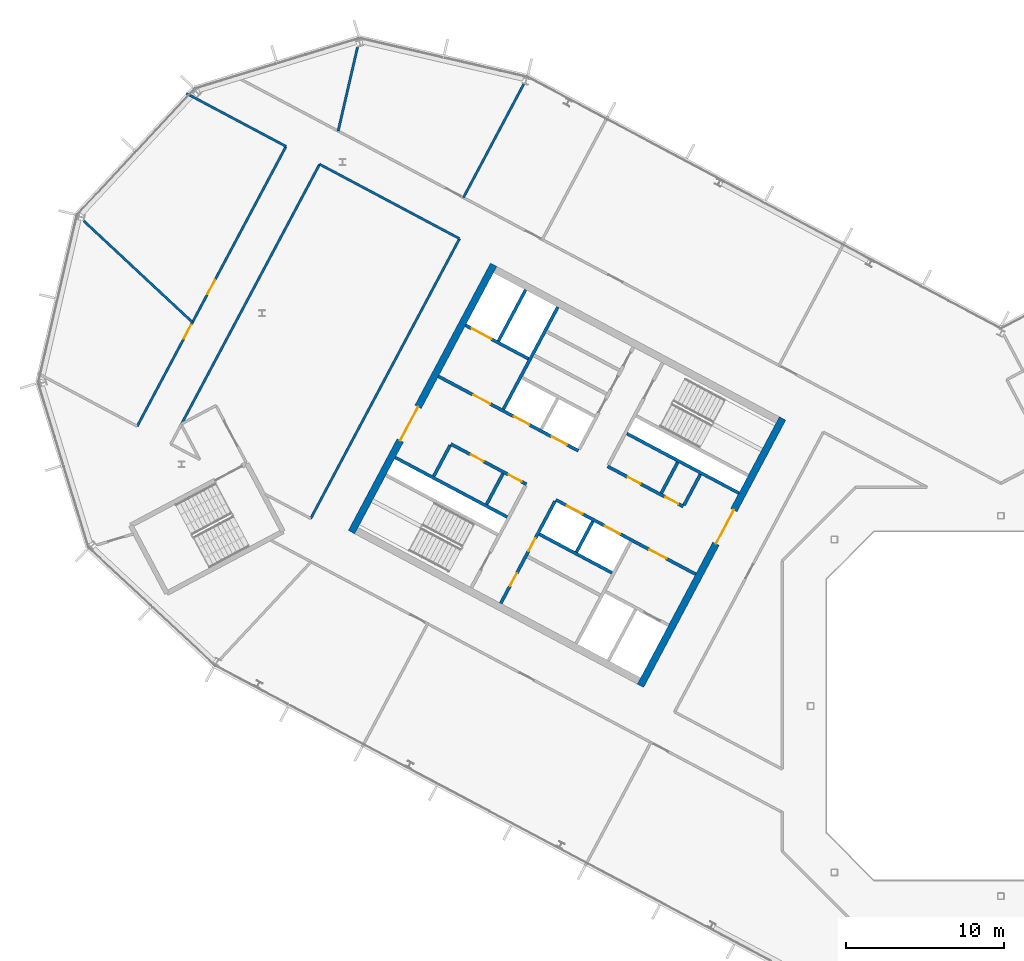
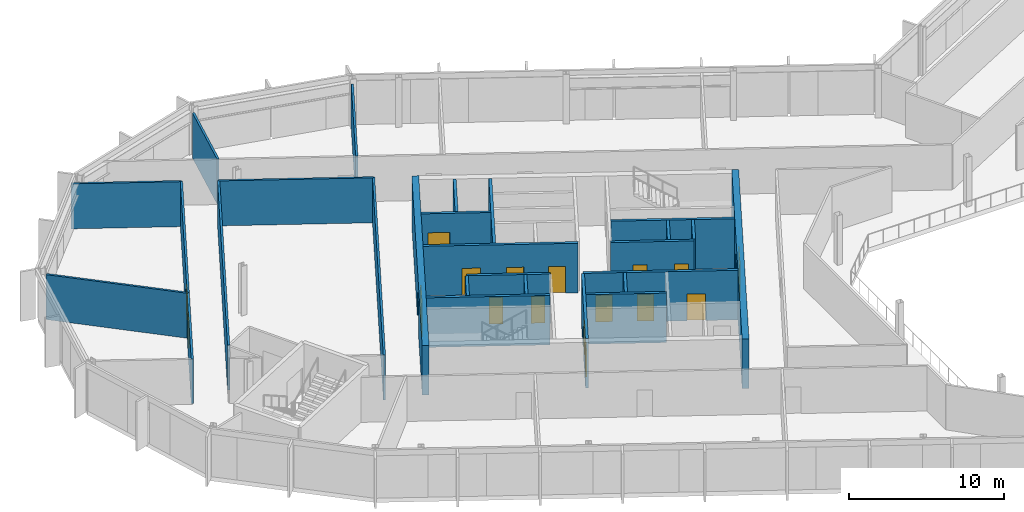
# One storey, part 14 of 26: 26 walls, 17 doors, 17 openings.
"""IFC4 building model written with IfcOpenShell, lengths in metres."""

from ifc_helpers import new_model, si_unit, direction, frame, frame_2d, origin, place, context, subcontext, project, spatial, rectangle, extrude, material, layer, layer_set, type_object, element, fill, save


model = new_model("IFC4")

# Units and contexts
model_context = context("Model", 3, precision=1e-05, world=origin(), true_north=direction((0.0, 1.0)))
body_context = subcontext(model_context, "Body", "Model", "MODEL_VIEW")
ifc_project = project(units=[si_unit("LENGTHUNIT", "METRE"), si_unit("AREAUNIT", "SQUARE_METRE"), si_unit("VOLUMEUNIT", "CUBIC_METRE"), si_unit("PLANEANGLEUNIT", "RADIAN"), si_unit("MASSUNIT", "GRAM", prefix="KILO")], contexts=[model_context])

# Site, building, storey
site_placement = place(None, origin())
site = spatial("IfcSite", under=ifc_project, at=site_placement, CompositionType="ELEMENT")
building_placement = place(site_placement, origin())
building = spatial("IfcBuilding", under=site, at=building_placement, Name="Cormorant Relay Tower", CompositionType="ELEMENT")
storey_placement = place(building_placement, frame((0.0, 0.0, 304.800048828125)))
storey = spatial("IfcBuildingStorey", under=building, at=storey_placement, Name="L69", CompositionType="ELEMENT", Elevation=304.800048828125)

# Walls
ifc_material_1 = material(Name="Concrete 40 MPa", Category="concrete")
ifc_layer_1 = layer(ifc_material_1, 0.199951171875)
ifc_layer_set_1 = layer_set([ifc_layer_1], Name="Core internal wall 200")
wall_type_1 = type_object("IfcWallType", Name="Core internal wall 200", PredefinedType="SOLIDWALL", material=ifc_layer_set_1)
wall_1_placement = place(storey_placement, frame((-20.39013671875, 15.371826171875, 0.0), z_axis=(0.0, 0.0, 1.0), x_axis=(-0.4694473164, -0.882960484464, 0.0)))
element("IfcWall", 1, at=wall_1_placement, inside=storey, type_object=wall_type_1, Name="L69 core A shaft and room wall", PredefinedType="SOLIDWALL", context=body_context, shape_type="SweptSolid", body=[
    extrude(rectangle(XDim=2.199951171875, YDim=0.199951171875, at=frame_2d((1.10009765625, 0.0))), origin(), (0.0, 0.0, 1.0), 3.89990234375),
])
wall_2_placement = place(storey_placement, frame((-25.744140625, 11.64990234375, 0.0), z_axis=(0.0, 0.0, 1.0), x_axis=(-0.469487830541, -0.882938942948, 0.0)))
element("IfcWall", 2, at=wall_2_placement, inside=storey, type_object=wall_type_1, Name="L69 core A shaft and room wall", PredefinedType="SOLIDWALL", context=body_context, shape_type="SweptSolid", body=[
    extrude(rectangle(XDim=2.2001953125, YDim=0.199951171875, at=frame_2d((1.10009765625, 0.0))), origin(), (0.0, 0.0, 1.0), 3.89990234375),
])
wall_3_placement = place(storey_placement, frame((-31.41259765625, 14.663818359375, 0.0), z_axis=(0.0, 0.0, 1.0), x_axis=(-0.469533832133, -0.882914480843, 0.0)))
element("IfcWall", 3, at=wall_3_placement, inside=storey, type_object=wall_type_1, Name="L69 core A shaft and room wall", PredefinedType="SOLIDWALL", context=body_context, shape_type="SweptSolid", body=[
    extrude(rectangle(XDim=2.199951171875, YDim=0.199951171875, at=frame_2d((1.10009765625, 0.0))), origin(), (0.0, 0.0, 1.0), 3.89990234375),
])
ifc_material_2 = material(Name="Concrete 50 MPa", Category="concrete")
ifc_layer_2 = layer(ifc_material_2, 0.199951171875)
ifc_layer_set_2 = layer_set([ifc_layer_2], Name="Core shaft wall 200")
wall_type_2 = type_object("IfcWallType", Name="Core shaft wall 200", PredefinedType="SHEAR", material=ifc_layer_set_2)
wall_4_placement = place(storey_placement, frame((-18.959716796875, 14.611328125, 0.0), z_axis=(0.0, 0.0, 1.0), x_axis=(-0.4694473164, -0.882960484464, 0.0)))
element("IfcWall", 4, at=wall_4_placement, inside=storey, type_object=wall_type_2, Name="L69 core A shaft wall", PredefinedType="SHEAR", context=body_context, shape_type="SweptSolid", body=[
    extrude(rectangle(XDim=2.199951171875, YDim=0.199951171875, at=frame_2d((1.10009765625, 0.0))), origin(), (0.0, 0.0, 1.0), 3.89990234375),
])

# Wall, openings, doors
wall_5_placement = place(storey_placement, frame((-28.128173828125, 12.91748046875, 0.0), z_axis=(0.0, 0.0, 1.0), x_axis=(-0.469454336211, -0.882956752176, 0.0)))
wall_5 = element("IfcWall", 5, at=wall_5_placement, inside=storey, type_object=wall_type_2, Name="L69 core A shaft wall", PredefinedType="SHEAR", context=body_context, shape_type="SweptSolid", body=[
    extrude(rectangle(XDim=7.300048828125, YDim=0.199951171875, at=frame_2d((3.64990234375, 0.0))), origin(), (0.0, 0.0, 1.0), 3.89990234375),
])
opening_1_placement = place(wall_5_placement, frame((2.64990234375, 0.0, 0.0)))
opening_1 = element("IfcOpeningElement", 6, at=opening_1_placement, cuts=wall_5, Name="Opening CDD-268", PredefinedType="OPENING", context=body_context, shape_type="SweptSolid", body=[
    extrude(rectangle(XDim=0.89990234375, YDim=2.10009765625, at=frame_2d((0.449951171875, 1.050048828125))), frame((0.0, 0.10986328125, 0.0), z_axis=(0.0, -1.0, 0.0), x_axis=(1.0, 0.0, 0.0)), (0.0, 0.0, 1.0), 0.219970703125),
])
opening_2_placement = place(wall_5_placement, frame((5.14990234375, 0.0, 0.0)))
opening_2 = element("IfcOpeningElement", 7, at=opening_2_placement, cuts=wall_5, Name="Opening CDD-339", PredefinedType="OPENING", context=body_context, shape_type="SweptSolid", body=[
    extrude(rectangle(XDim=0.89990234375, YDim=2.10009765625, at=frame_2d((0.449951171875, 1.050048828125))), frame((0.0, 0.10986328125, 0.0), z_axis=(0.0, -1.0, 0.0), x_axis=(1.0, 0.0, 0.0)), (0.0, 0.0, 1.0), 0.219970703125),
])
ifc_material_3 = material(Name="Steel fire door", Category="steel")
door_type_1 = type_object("IfcDoorType", Name="Core room door 900x2100", OperationType="SINGLE_SWING_LEFT", PredefinedType="DOOR", material=ifc_material_3)
door_1_placement = place(opening_1_placement, origin())
door_1 = element("IfcDoor", 8, at=door_1_placement, inside=storey, type_object=door_type_1, Name="Core room door 900x2100", OperationType="SINGLE_SWING_LEFT", OverallHeight=2.10009765625, OverallWidth=0.89990234375, PredefinedType="DOOR", context=body_context, shape_type="SweptSolid", body=[
    extrude(rectangle(XDim=0.89990234375, YDim=2.10009765625, at=frame_2d((0.449951171875, 1.050048828125))), frame((0.0, 0.02490234375, 0.0), z_axis=(0.0, -1.0, 0.0), x_axis=(1.0, 0.0, 0.0)), (0.0, 0.0, 1.0), 0.050048828125),
])
fill(opening_1, door_1)
door_2_placement = place(opening_2_placement, origin())
door_2 = element("IfcDoor", 9, at=door_2_placement, inside=storey, type_object=door_type_1, Name="Core room door 900x2100", OperationType="SINGLE_SWING_LEFT", OverallHeight=2.10009765625, OverallWidth=0.89990234375, PredefinedType="DOOR", context=body_context, shape_type="SweptSolid", body=[
    extrude(rectangle(XDim=0.89990234375, YDim=2.10009765625, at=frame_2d((0.449951171875, 1.050048828125))), frame((0.0, 0.02490234375, 0.0), z_axis=(0.0, -1.0, 0.0), x_axis=(1.0, 0.0, 0.0)), (0.0, 0.0, 1.0), 0.050048828125),
])
fill(opening_2, door_2)

# Walls
wall_6_placement = place(storey_placement, frame((-27.955322265625, 25.170654296875, 0.0), z_axis=(0.0, 0.0, 1.0), x_axis=(-0.469480409012, -0.88294288918, 0.0)))
element("IfcWall", 10, at=wall_6_placement, inside=storey, type_object=wall_type_2, Name="L69 core A shaft wall", PredefinedType="SHEAR", context=body_context, shape_type="SweptSolid", body=[
    extrude(rectangle(XDim=7.300048828125, YDim=0.199951171875, at=frame_2d((3.64990234375, 0.0))), origin(), (0.0, 0.0, 1.0), 3.89990234375),
])
wall_7_placement = place(storey_placement, frame((-34.750244140625, 16.4384765625, 0.0), z_axis=(0.0, 0.0, 1.0), x_axis=(-0.469401318492, -0.882984938828, 0.0)))
element("IfcWall", 11, at=wall_7_placement, inside=storey, type_object=wall_type_2, Name="L69 core A shaft wall", PredefinedType="SHEAR", context=body_context, shape_type="SweptSolid", body=[
    extrude(rectangle(XDim=2.199951171875, YDim=0.199951171875, at=frame_2d((1.10009765625, 0.0))), origin(), (0.0, 0.0, 1.0), 3.89990234375),
])
wall_8_placement = place(storey_placement, frame((-29.986083984375, 26.250244140625, 0.0), z_axis=(0.0, 0.0, 1.0), x_axis=(-0.469494272526, -0.882935517501, 0.0)))
element("IfcWall", 12, at=wall_8_placement, inside=storey, type_object=wall_type_2, Name="L69 core A shaft wall", PredefinedType="SHEAR", context=body_context, shape_type="SweptSolid", body=[
    extrude(rectangle(XDim=3.64990234375, YDim=0.199951171875, at=frame_2d((1.824951171875, 0.0))), origin(), (0.0, 0.0, 1.0), 3.89990234375),
])

# Wall, opening, door
wall_9_placement = place(storey_placement, frame((-29.80419921875, 21.906494140625, 0.0), z_axis=(0.0, 0.0, 1.0), x_axis=(-0.882960433586, 0.469447412093, 0.0)))
wall_9 = element("IfcWall", 13, at=wall_9_placement, inside=storey, type_object=wall_type_2, Name="L69 core A shaft wall", PredefinedType="SHEAR", context=body_context, shape_type="SweptSolid", body=[
    extrude(rectangle(XDim=4.5, YDim=0.199951171875, at=frame_2d((2.25, 0.0))), origin(), (0.0, 0.0, 1.0), 3.89990234375),
])
opening_3_placement = place(wall_9_placement, frame((2.64990234375, 0.0, 0.0)))
opening_3 = element("IfcOpeningElement", 14, at=opening_3_placement, cuts=wall_9, Name="Opening LD3-015", PredefinedType="OPENING", context=body_context, shape_type="SweptSolid", body=[
    extrude(rectangle(XDim=1.39990234375, YDim=2.39990234375, at=frame_2d((0.699951171875, 1.199951171875))), frame((0.0, 0.10986328125, 0.0), z_axis=(0.0, -1.0, 0.0), x_axis=(1.0, 0.0, 0.0)), (0.0, 0.0, 1.0), 0.219970703125),
])
ifc_material_4 = material(Name="Stainless steel 316", Category="steel")
door_type_2 = type_object("IfcDoorType", Name="Lift landing door 1400x2400", OperationType="DOUBLE_DOOR_SLIDING", PredefinedType="DOOR", material=ifc_material_4)
door_3_placement = place(opening_3_placement, origin())
door_3 = element("IfcDoor", 15, at=door_3_placement, inside=storey, type_object=door_type_2, Name="SV1 landing door", OperationType="DOUBLE_DOOR_SLIDING", OverallHeight=2.39990234375, OverallWidth=1.39990234375, PredefinedType="DOOR", context=body_context, shape_type="SweptSolid", body=[
    extrude(rectangle(XDim=1.39990234375, YDim=2.39990234375, at=frame_2d((0.699951171875, 1.199951171875))), frame((0.0, 0.02490234375, 0.0), z_axis=(0.0, -1.0, 0.0), x_axis=(1.0, 0.0, 0.0)), (0.0, 0.0, 1.0), 0.050048828125),
])
fill(opening_3, door_3)

# Wall
wall_10_placement = place(storey_placement, frame((-16.52880859375, 13.43212890625, 0.0), z_axis=(0.0, 0.0, 1.0), x_axis=(-0.88295287151, 0.469461634952, 0.0)))
element("IfcWall", 16, at=wall_10_placement, inside=storey, type_object=wall_type_2, Name="L69 core A shaft wall", PredefinedType="SHEAR", context=body_context, shape_type="SweptSolid", body=[
    extrude(rectangle(XDim=7.999755859375, YDim=0.199951171875, at=frame_2d((4.0, 0.0))), origin(), (0.0, 0.0, 1.0), 3.89990234375),
])

# Wall, openings, doors
wall_11_placement = place(storey_placement, frame((-20.03955078125, 12.58056640625, 0.0), z_axis=(0.0, 0.0, 1.0), x_axis=(-0.882942972946, 0.469480251476, 0.0)))
wall_11 = element("IfcWall", 17, at=wall_11_placement, inside=storey, type_object=wall_type_2, Name="L69 core A shaft wall", PredefinedType="SHEAR", context=body_context, shape_type="SweptSolid", body=[
    extrude(rectangle(XDim=5.39990234375, YDim=0.199951171875, at=frame_2d((2.699951171875, 0.0))), origin(), (0.0, 0.0, 1.0), 3.89990234375),
])
opening_4_placement = place(wall_11_placement, frame((0.360107421875, 0.0, 0.0)))
opening_4 = element("IfcOpeningElement", 18, at=opening_4_placement, cuts=wall_11, Name="Opening CDD-337", PredefinedType="OPENING", context=body_context, shape_type="SweptSolid", body=[
    extrude(rectangle(XDim=0.89990234375, YDim=2.10009765625, at=frame_2d((0.449951171875, 1.050048828125))), frame((0.0, 0.10986328125, 0.0), z_axis=(0.0, -1.0, 0.0), x_axis=(1.0, 0.0, 0.0)), (0.0, 0.0, 1.0), 0.219970703125),
])
opening_5_placement = place(wall_11_placement, frame((3.06005859375, 0.0, 0.0)))
opening_5 = element("IfcOpeningElement", 19, at=opening_5_placement, cuts=wall_11, Name="Opening CDD-338", PredefinedType="OPENING", context=body_context, shape_type="SweptSolid", body=[
    extrude(rectangle(XDim=0.89990234375, YDim=2.10009765625, at=frame_2d((0.449951171875, 1.050048828125))), frame((0.0, 0.10986328125, 0.0), z_axis=(0.0, -1.0, 0.0), x_axis=(1.0, 0.0, 0.0)), (0.0, 0.0, 1.0), 0.219970703125),
])
door_4_placement = place(opening_4_placement, frame((0.89990234375, 0.0, 0.0), z_axis=(0.0, 0.0, 1.0), x_axis=(-1.0, 0.0, 0.0)))
door_4 = element("IfcDoor", 20, at=door_4_placement, inside=storey, type_object=door_type_1, Name="Core room door 900x2100", OperationType="SINGLE_SWING_RIGHT", OverallHeight=2.10009765625, OverallWidth=0.89990234375, PredefinedType="DOOR", context=body_context, shape_type="SweptSolid", body=[
    extrude(rectangle(XDim=0.89990234375, YDim=2.10009765625, at=frame_2d((0.449951171875, 1.050048828125))), frame((0.0, 0.02490234375, 0.0), z_axis=(0.0, -1.0, 0.0), x_axis=(1.0, 0.0, 0.0)), (0.0, 0.0, 1.0), 0.050048828125),
])
fill(opening_4, door_4)
door_5_placement = place(opening_5_placement, frame((0.89990234375, 0.0, 0.0), z_axis=(0.0, 0.0, 1.0), x_axis=(-1.0, 0.0, 0.0)))
door_5 = element("IfcDoor", 21, at=door_5_placement, inside=storey, type_object=door_type_1, Name="Core room door 900x2100", OperationType="SINGLE_SWING_RIGHT", OverallHeight=2.10009765625, OverallWidth=0.89990234375, PredefinedType="DOOR", context=body_context, shape_type="SweptSolid", body=[
    extrude(rectangle(XDim=0.89990234375, YDim=2.10009765625, at=frame_2d((0.449951171875, 1.050048828125))), frame((0.0, 0.02490234375, 0.0), z_axis=(0.0, -1.0, 0.0), x_axis=(1.0, 0.0, 0.0)), (0.0, 0.0, 1.0), 0.050048828125),
])
fill(opening_5, door_5)

wall_12_placement = place(storey_placement, frame((-26.66162109375, 16.1015625, 0.0), z_axis=(0.0, 0.0, 1.0), x_axis=(-0.882940221191, 0.469485426614, 0.0)))
wall_12 = element("IfcWall", 22, at=wall_12_placement, inside=storey, type_object=wall_type_2, Name="L69 core A shaft wall", PredefinedType="SHEAR", context=body_context, shape_type="SweptSolid", body=[
    extrude(rectangle(XDim=10.0, YDim=0.199951171875, at=frame_2d((5.0, 0.0))), origin(), (0.0, 0.0, 1.0), 3.89990234375),
])
opening_6_placement = place(wall_12_placement, frame((6.300048828125, 0.0, 0.0)))
opening_6 = element("IfcOpeningElement", 23, at=opening_6_placement, cuts=wall_12, Name="Opening CDC-039", PredefinedType="OPENING", context=body_context, shape_type="SweptSolid", body=[
    extrude(rectangle(XDim=1.199951171875, YDim=2.10009765625, at=frame_2d((0.60009765625, 1.050048828125))), frame((0.0, 0.10986328125, 0.0), z_axis=(0.0, -1.0, 0.0), x_axis=(1.0, 0.0, 0.0)), (0.0, 0.0, 1.0), 0.219970703125),
])
opening_7_placement = place(wall_12_placement, frame((0.800048828125, 0.0, 0.0)))
opening_7 = element("IfcOpeningElement", 24, at=opening_7_placement, cuts=wall_12, Name="Opening LD1-067", PredefinedType="OPENING", context=body_context, shape_type="SweptSolid", body=[
    extrude(rectangle(XDim=1.10009765625, YDim=2.10009765625, at=frame_2d((0.550048828125, 1.050048828125))), frame((0.0, 0.10986328125, 0.0), z_axis=(0.0, -1.0, 0.0), x_axis=(1.0, 0.0, 0.0)), (0.0, 0.0, 1.0), 0.219970703125),
])
opening_8_placement = place(wall_12_placement, frame((3.5, 0.0, 0.0)))
opening_8 = element("IfcOpeningElement", 25, at=opening_8_placement, cuts=wall_12, Name="Opening LD1-068", PredefinedType="OPENING", context=body_context, shape_type="SweptSolid", body=[
    extrude(rectangle(XDim=1.10009765625, YDim=2.10009765625, at=frame_2d((0.550048828125, 1.050048828125))), frame((0.0, 0.10986328125, 0.0), z_axis=(0.0, -1.0, 0.0), x_axis=(1.0, 0.0, 0.0)), (0.0, 0.0, 1.0), 0.219970703125),
])
ifc_material_5 = material(Name="Steel fire door", Category="steel")
door_type_3 = type_object("IfcDoorType", Name="Core lobby door 1200x2100", OperationType="SINGLE_SWING_LEFT", PredefinedType="DOOR", material=ifc_material_5)
door_6_placement = place(opening_6_placement, frame((1.199951171875, 0.0, 0.0), z_axis=(0.0, 0.0, 1.0), x_axis=(-1.0, 0.0, 0.0)))
door_6 = element("IfcDoor", 26, at=door_6_placement, inside=storey, type_object=door_type_3, Name="Core lobby door 1200x2100", OperationType="SINGLE_SWING_RIGHT", OverallHeight=2.10009765625, OverallWidth=1.199951171875, PredefinedType="DOOR", context=body_context, shape_type="SweptSolid", body=[
    extrude(rectangle(XDim=1.199951171875, YDim=2.10009765625, at=frame_2d((0.60009765625, 1.050048828125))), frame((0.0, 0.02490234375, 0.0), z_axis=(0.0, -1.0, 0.0), x_axis=(1.0, 0.0, 0.0)), (0.0, 0.0, 1.0), 0.050048828125),
])
fill(opening_6, door_6)
ifc_material_6 = material(Name="Stainless steel 316", Category="steel")
door_type_4 = type_object("IfcDoorType", Name="Lift landing door 1100x2100", OperationType="DOUBLE_DOOR_SLIDING", PredefinedType="DOOR", material=ifc_material_6)
door_7_placement = place(opening_7_placement, origin())
door_7 = element("IfcDoor", 27, at=door_7_placement, inside=storey, type_object=door_type_4, Name="HR3 landing door", OperationType="DOUBLE_DOOR_SLIDING", OverallHeight=2.10009765625, OverallWidth=1.10009765625, PredefinedType="DOOR", context=body_context, shape_type="SweptSolid", body=[
    extrude(rectangle(XDim=1.10009765625, YDim=2.10009765625, at=frame_2d((0.550048828125, 1.050048828125))), frame((0.0, 0.02490234375, 0.0), z_axis=(0.0, -1.0, 0.0), x_axis=(1.0, 0.0, 0.0)), (0.0, 0.0, 1.0), 0.050048828125),
])
fill(opening_7, door_7)
door_8_placement = place(opening_8_placement, origin())
door_8 = element("IfcDoor", 28, at=door_8_placement, inside=storey, type_object=door_type_4, Name="HR4 landing door", OperationType="DOUBLE_DOOR_SLIDING", OverallHeight=2.10009765625, OverallWidth=1.10009765625, PredefinedType="DOOR", context=body_context, shape_type="SweptSolid", body=[
    extrude(rectangle(XDim=1.10009765625, YDim=2.10009765625, at=frame_2d((0.550048828125, 1.050048828125))), frame((0.0, 0.02490234375, 0.0), z_axis=(0.0, -1.0, 0.0), x_axis=(1.0, 0.0, 0.0)), (0.0, 0.0, 1.0), 0.050048828125),
])
fill(opening_8, door_8)

wall_13_placement = place(storey_placement, frame((-19.251708984375, 8.31103515625, 0.0), z_axis=(0.0, 0.0, 1.0), x_axis=(-0.882955722218, 0.469456273365, 0.0)))
wall_13 = element("IfcWall", 29, at=wall_13_placement, inside=storey, type_object=wall_type_2, Name="L69 core A shaft wall", PredefinedType="SHEAR", context=body_context, shape_type="SweptSolid", body=[
    extrude(rectangle(XDim=10.0, YDim=0.199951171875, at=frame_2d((5.0, 0.0))), origin(), (0.0, 0.0, 1.0), 3.89990234375),
])
opening_9_placement = place(wall_13_placement, frame((2.10009765625, 0.0, 0.0)))
opening_9 = element("IfcOpeningElement", 30, at=opening_9_placement, cuts=wall_13, Name="Opening CDC-033", PredefinedType="OPENING", context=body_context, shape_type="SweptSolid", body=[
    extrude(rectangle(XDim=1.199951171875, YDim=2.10009765625, at=frame_2d((0.60009765625, 1.050048828125))), frame((0.0, 0.10986328125, 0.0), z_axis=(0.0, -1.0, 0.0), x_axis=(1.0, 0.0, 0.0)), (0.0, 0.0, 1.0), 0.219970703125),
])
opening_10_placement = place(wall_13_placement, frame((5.39990234375, 0.0, 0.0)))
opening_10 = element("IfcOpeningElement", 31, at=opening_10_placement, cuts=wall_13, Name="Opening LD1-065", PredefinedType="OPENING", context=body_context, shape_type="SweptSolid", body=[
    extrude(rectangle(XDim=1.10009765625, YDim=2.10009765625, at=frame_2d((0.550048828125, 1.050048828125))), frame((0.0, 0.10986328125, 0.0), z_axis=(0.0, -1.0, 0.0), x_axis=(1.0, 0.0, 0.0)), (0.0, 0.0, 1.0), 0.219970703125),
])
opening_11_placement = place(wall_13_placement, frame((8.10009765625, 0.0, 0.0)))
opening_11 = element("IfcOpeningElement", 32, at=opening_11_placement, cuts=wall_13, Name="Opening LD1-066", PredefinedType="OPENING", context=body_context, shape_type="SweptSolid", body=[
    extrude(rectangle(XDim=1.10009765625, YDim=2.10009765625, at=frame_2d((0.550048828125, 1.050048828125))), frame((0.0, 0.10986328125, 0.0), z_axis=(0.0, -1.0, 0.0), x_axis=(1.0, 0.0, 0.0)), (0.0, 0.0, 1.0), 0.219970703125),
])
door_9_placement = place(opening_9_placement, origin())
door_9 = element("IfcDoor", 33, at=door_9_placement, inside=storey, type_object=door_type_3, Name="Core lobby door 1200x2100", OperationType="SINGLE_SWING_RIGHT", OverallHeight=2.10009765625, OverallWidth=1.199951171875, PredefinedType="DOOR", context=body_context, shape_type="SweptSolid", body=[
    extrude(rectangle(XDim=1.199951171875, YDim=2.10009765625, at=frame_2d((0.60009765625, 1.050048828125))), frame((0.0, 0.02490234375, 0.0), z_axis=(0.0, -1.0, 0.0), x_axis=(1.0, 0.0, 0.0)), (0.0, 0.0, 1.0), 0.050048828125),
])
fill(opening_9, door_9)
door_10_placement = place(opening_10_placement, origin())
door_10 = element("IfcDoor", 34, at=door_10_placement, inside=storey, type_object=door_type_4, Name="HR1 landing door", OperationType="DOUBLE_DOOR_SLIDING", OverallHeight=2.10009765625, OverallWidth=1.10009765625, PredefinedType="DOOR", context=body_context, shape_type="SweptSolid", body=[
    extrude(rectangle(XDim=1.10009765625, YDim=2.10009765625, at=frame_2d((0.550048828125, 1.050048828125))), frame((0.0, 0.02490234375, 0.0), z_axis=(0.0, -1.0, 0.0), x_axis=(1.0, 0.0, 0.0)), (0.0, 0.0, 1.0), 0.050048828125),
])
fill(opening_10, door_10)
door_11_placement = place(opening_11_placement, origin())
door_11 = element("IfcDoor", 35, at=door_11_placement, inside=storey, type_object=door_type_4, Name="HR2 landing door", OperationType="DOUBLE_DOOR_SLIDING", OverallHeight=2.10009765625, OverallWidth=1.10009765625, PredefinedType="DOOR", context=body_context, shape_type="SweptSolid", body=[
    extrude(rectangle(XDim=1.10009765625, YDim=2.10009765625, at=frame_2d((0.550048828125, 1.050048828125))), frame((0.0, 0.02490234375, 0.0), z_axis=(0.0, -1.0, 0.0), x_axis=(1.0, 0.0, 0.0)), (0.0, 0.0, 1.0), 0.050048828125),
])
fill(opening_11, door_11)

wall_14_placement = place(storey_placement, frame((-29.935302734375, 13.991455078125, 0.0), z_axis=(0.0, 0.0, 1.0), x_axis=(-0.882952937579, 0.469461510692, 0.0)))
wall_14 = element("IfcWall", 36, at=wall_14_placement, inside=storey, type_object=wall_type_2, Name="L69 core A shaft wall", PredefinedType="SHEAR", context=body_context, shape_type="SweptSolid", body=[
    extrude(rectangle(XDim=5.400146484375, YDim=0.199951171875, at=frame_2d((2.7001953125, 0.0))), origin(), (0.0, 0.0, 1.0), 3.89990234375),
])
opening_12_placement = place(wall_14_placement, frame((0.360107421875, 0.0, 0.0)))
opening_12 = element("IfcOpeningElement", 37, at=opening_12_placement, cuts=wall_14, Name="Opening CDD-320", PredefinedType="OPENING", context=body_context, shape_type="SweptSolid", body=[
    extrude(rectangle(XDim=0.89990234375, YDim=2.10009765625, at=frame_2d((0.449951171875, 1.050048828125))), frame((0.0, 0.10986328125, 0.0), z_axis=(0.0, -1.0, 0.0), x_axis=(1.0, 0.0, 0.0)), (0.0, 0.0, 1.0), 0.219970703125),
])
opening_13_placement = place(wall_14_placement, frame((3.06005859375, 0.0, 0.0)))
opening_13 = element("IfcOpeningElement", 38, at=opening_13_placement, cuts=wall_14, Name="Opening CDD-321", PredefinedType="OPENING", context=body_context, shape_type="SweptSolid", body=[
    extrude(rectangle(XDim=0.89990234375, YDim=2.10009765625, at=frame_2d((0.449951171875, 1.050048828125))), frame((0.0, 0.10986328125, 0.0), z_axis=(0.0, -1.0, 0.0), x_axis=(1.0, 0.0, 0.0)), (0.0, 0.0, 1.0), 0.219970703125),
])
door_12_placement = place(opening_12_placement, origin())
door_12 = element("IfcDoor", 39, at=door_12_placement, inside=storey, type_object=door_type_1, Name="Core room door 900x2100", OperationType="SINGLE_SWING_LEFT", OverallHeight=2.10009765625, OverallWidth=0.89990234375, PredefinedType="DOOR", context=body_context, shape_type="SweptSolid", body=[
    extrude(rectangle(XDim=0.89990234375, YDim=2.10009765625, at=frame_2d((0.449951171875, 1.050048828125))), frame((0.0, 0.02490234375, 0.0), z_axis=(0.0, -1.0, 0.0), x_axis=(1.0, 0.0, 0.0)), (0.0, 0.0, 1.0), 0.050048828125),
])
fill(opening_12, door_12)
door_13_placement = place(opening_13_placement, origin())
door_13 = element("IfcDoor", 40, at=door_13_placement, inside=storey, type_object=door_type_1, Name="Core room door 900x2100", OperationType="SINGLE_SWING_LEFT", OverallHeight=2.10009765625, OverallWidth=0.89990234375, PredefinedType="DOOR", context=body_context, shape_type="SweptSolid", body=[
    extrude(rectangle(XDim=0.89990234375, YDim=2.10009765625, at=frame_2d((0.449951171875, 1.050048828125))), frame((0.0, 0.02490234375, 0.0), z_axis=(0.0, -1.0, 0.0), x_axis=(1.0, 0.0, 0.0)), (0.0, 0.0, 1.0), 0.050048828125),
])
fill(opening_13, door_13)

# Walls
wall_15_placement = place(storey_placement, frame((-24.5283203125, 8.3984375, 0.0), z_axis=(0.0, 0.0, 1.0), x_axis=(-0.882953967957, 0.469459572775, 0.0)))
element("IfcWall", 41, at=wall_15_placement, inside=storey, type_object=wall_type_2, Name="L69 core A shaft wall", PredefinedType="SHEAR", context=body_context, shape_type="SweptSolid", body=[
    extrude(rectangle(XDim=5.199951171875, YDim=0.199951171875, at=frame_2d((2.60009765625, 0.0))), origin(), (0.0, 0.0, 1.0), 3.89990234375),
])
wall_16_placement = place(storey_placement, frame((-31.150390625, 11.91943359375, 0.0), z_axis=(0.0, 0.0, 1.0), x_axis=(-0.882940221191, 0.469485426614, 0.0)))
element("IfcWall", 42, at=wall_16_placement, inside=storey, type_object=wall_type_2, Name="L69 core A shaft wall", PredefinedType="SHEAR", context=body_context, shape_type="SweptSolid", body=[
    extrude(rectangle(XDim=8.0, YDim=0.199951171875, at=frame_2d((4.0, 0.0))), origin(), (0.0, 0.0, 1.0), 3.89990234375),
])

# Wall, opening, door
ifc_material_7 = material(Name="Concrete 50 MPa", Category="concrete")
ifc_layer_3 = layer(ifc_material_7, 0.449951171875)
ifc_layer_set_3 = layer_set([ifc_layer_3], Name="Core wall 450")
wall_type_3 = type_object("IfcWallType", Name="Core wall 450", PredefinedType="SHEAR", material=ifc_layer_set_3)
wall_17_placement = place(storey_placement, frame((-13.771484375, 18.138427734375, 0.0), z_axis=(0.0, 0.0, 1.0), x_axis=(-0.469467968382, -0.882949504028, 0.0)))
wall_17 = element("IfcWall", 43, at=wall_17_placement, inside=storey, type_object=wall_type_3, Name="L69 core A wall", PredefinedType="SHEAR", context=body_context, shape_type="SweptSolid", body=[
    extrude(rectangle(XDim=19.099853515625, YDim=0.449951171875, at=frame_2d((9.5498046875, 0.0))), origin(), (0.0, 0.0, 1.0), 3.89990234375),
])
opening_14_placement = place(wall_17_placement, frame((6.550048828125, 0.0, 0.0)))
opening_14 = element("IfcOpeningElement", 44, at=opening_14_placement, cuts=wall_17, Name="Opening CDA-050", PredefinedType="OPENING", context=body_context, shape_type="SweptSolid", body=[
    extrude(rectangle(XDim=2.39990234375, YDim=2.39990234375, at=frame_2d((1.199951171875, 1.199951171875))), frame((0.0, 0.23486328125, 0.0), z_axis=(0.0, -1.0, 0.0), x_axis=(1.0, 0.0, 0.0)), (0.0, 0.0, 1.0), 0.469970703125),
])
ifc_material_8 = material(Name="Steel fire door", Category="steel")
door_type_5 = type_object("IfcDoorType", Name="Core lobby door 2400x2400", OperationType="DOUBLE_DOOR_SINGLE_SWING", PredefinedType="DOOR", material=ifc_material_8)
door_14_placement = place(opening_14_placement, origin())
door_14 = element("IfcDoor", 45, at=door_14_placement, inside=storey, type_object=door_type_5, Name="Core lobby door 2400x2400", OperationType="DOUBLE_DOOR_SINGLE_SWING", OverallHeight=2.39990234375, OverallWidth=2.39990234375, PredefinedType="DOOR", context=body_context, shape_type="SweptSolid", body=[
    extrude(rectangle(XDim=2.39990234375, YDim=2.39990234375, at=frame_2d((1.199951171875, 1.199951171875))), frame((0.0, 0.02490234375, 0.0), z_axis=(0.0, -1.0, 0.0), x_axis=(1.0, 0.0, 0.0)), (0.0, 0.0, 1.0), 0.050048828125),
])
fill(opening_14, door_14)

wall_18_placement = place(storey_placement, frame((-32.00439453125, 27.8330078125, 0.0), z_axis=(0.0, 0.0, 1.0), x_axis=(-0.469467968382, -0.882949504028, 0.0)))
wall_18 = element("IfcWall", 46, at=wall_18_placement, inside=storey, type_object=wall_type_3, Name="L69 core A wall", PredefinedType="SHEAR", context=body_context, shape_type="SweptSolid", body=[
    extrude(rectangle(XDim=19.099853515625, YDim=0.449951171875, at=frame_2d((9.5498046875, 0.0))), origin(), (0.0, 0.0, 1.0), 3.89990234375),
])
opening_15_placement = place(wall_18_placement, frame((10.14990234375, 0.0, 0.0)))
opening_15 = element("IfcOpeningElement", 47, at=opening_15_placement, cuts=wall_18, Name="Opening CDA-056", PredefinedType="OPENING", context=body_context, shape_type="SweptSolid", body=[
    extrude(rectangle(XDim=2.39990234375, YDim=2.39990234375, at=frame_2d((1.199951171875, 1.199951171875))), frame((0.0, 0.23486328125, 0.0), z_axis=(0.0, -1.0, 0.0), x_axis=(1.0, 0.0, 0.0)), (0.0, 0.0, 1.0), 0.469970703125),
])
door_15_placement = place(opening_15_placement, frame((2.39990234375, 0.0, 0.0), z_axis=(0.0, 0.0, 1.0), x_axis=(-1.0, 0.0, 0.0)))
door_15 = element("IfcDoor", 48, at=door_15_placement, inside=storey, type_object=door_type_5, Name="Core lobby door 2400x2400", OperationType="DOUBLE_DOOR_SINGLE_SWING", OverallHeight=2.39990234375, OverallWidth=2.39990234375, PredefinedType="DOOR", context=body_context, shape_type="SweptSolid", body=[
    extrude(rectangle(XDim=2.39990234375, YDim=2.39990234375, at=frame_2d((1.199951171875, 1.199951171875))), frame((0.0, 0.02490234375, 0.0), z_axis=(0.0, -1.0, 0.0), x_axis=(1.0, 0.0, 0.0)), (0.0, 0.0, 1.0), 0.050048828125),
])
fill(opening_15, door_15)

# Wall, openings, doors
ifc_material_9 = material(Name="Gypsum board fire partition")
ifc_layer_4 = layer(ifc_material_9, 0.14990234375)
ifc_layer_set_4 = layer_set([ifc_layer_4], Name="Corridor partition 150 EI 60")
wall_type_4 = type_object("IfcWallType", Name="Corridor partition 150 EI 60", PredefinedType="PARTITIONING", material=ifc_layer_set_4)
wall_19_placement = place(storey_placement, frame((-54.492919921875, 17.64892578125, 0.0), z_axis=(0.0, 0.0, 1.0), x_axis=(0.469446756585, 0.882960782103, 0.0)))
wall_19 = element("IfcWall", 49, at=wall_19_placement, inside=storey, type_object=wall_type_4, Name="wall/L69/part/001", PredefinedType="PARTITIONING", context=body_context, shape_type="SweptSolid", body=[
    extrude(rectangle(XDim=20.0, YDim=0.14990234375, at=frame_2d((10.0, 0.0))), origin(), (0.0, 0.0, 1.0), 3.5400390625),
])
opening_16_placement = place(wall_19_placement, frame((9.449951171875, 0.0, 0.0)))
opening_16 = element("IfcOpeningElement", 50, at=opening_16_placement, cuts=wall_19, Name="Opening DS-232", PredefinedType="OPENING", context=body_context, shape_type="SweptSolid", body=[
    extrude(rectangle(XDim=1.0, YDim=2.10009765625, at=frame_2d((0.5, 1.050048828125))), frame((0.0, 0.0849609375, 0.0), z_axis=(0.0, -1.0, 0.0), x_axis=(1.0, 0.0, 0.0)), (0.0, 0.0, 1.0), 0.169921875),
])
opening_17_placement = place(wall_19_placement, frame((6.25, 0.0, 0.0)))
opening_17 = element("IfcOpeningElement", 51, at=opening_17_placement, cuts=wall_19, Name="Opening DS-233", PredefinedType="OPENING", context=body_context, shape_type="SweptSolid", body=[
    extrude(rectangle(XDim=1.0, YDim=2.10009765625, at=frame_2d((0.5, 1.050048828125))), frame((0.0, 0.0849609375, 0.0), z_axis=(0.0, -1.0, 0.0), x_axis=(1.0, 0.0, 0.0)), (0.0, 0.0, 1.0), 0.169921875),
])
ifc_material_10 = material(Name="Timber door leaf", Category="wood")
door_type_6 = type_object("IfcDoorType", Name="Suite door 1000x2100", OperationType="SINGLE_SWING_LEFT", PredefinedType="DOOR", material=ifc_material_10)
door_16_placement = place(opening_16_placement, frame((1.0, 0.0, 0.0), z_axis=(0.0, 0.0, 1.0), x_axis=(-1.0, 0.0, 0.0)))
door_16 = element("IfcDoor", 52, at=door_16_placement, inside=storey, type_object=door_type_6, Name="door/L69/001", OperationType="SINGLE_SWING_LEFT", OverallHeight=2.10009765625, OverallWidth=1.0, PredefinedType="DOOR", context=body_context, shape_type="SweptSolid", body=[
    extrude(rectangle(XDim=1.0, YDim=2.10009765625, at=frame_2d((0.5, 1.050048828125))), frame((0.0, 0.02490234375, 0.0), z_axis=(0.0, -1.0, 0.0), x_axis=(1.0, 0.0, 0.0)), (0.0, 0.0, 1.0), 0.050048828125),
])
fill(opening_16, door_16)
door_17_placement = place(opening_17_placement, frame((1.0, 0.0, 0.0), z_axis=(0.0, 0.0, 1.0), x_axis=(-1.0, 0.0, 0.0)))
door_17 = element("IfcDoor", 53, at=door_17_placement, inside=storey, type_object=door_type_6, Name="door/L69/002", OperationType="SINGLE_SWING_LEFT", OverallHeight=2.10009765625, OverallWidth=1.0, PredefinedType="DOOR", context=body_context, shape_type="SweptSolid", body=[
    extrude(rectangle(XDim=1.0, YDim=2.10009765625, at=frame_2d((0.5, 1.050048828125))), frame((0.0, 0.02490234375, 0.0), z_axis=(0.0, -1.0, 0.0), x_axis=(1.0, 0.0, 0.0)), (0.0, 0.0, 1.0), 0.050048828125),
])
fill(opening_17, door_17)

# Walls
wall_20_placement = place(storey_placement, frame((-45.10400390625, 35.30810546875, 0.0), z_axis=(0.0, 0.0, 1.0), x_axis=(-0.883009246848, 0.469355590125, 0.0)))
element("IfcWall", 54, at=wall_20_placement, inside=storey, type_object=wall_type_4, Name="wall/L69/part/002", PredefinedType="PARTITIONING", context=body_context, shape_type="SweptSolid", body=[
    extrude(rectangle(XDim=7.126708984375, YDim=0.14990234375, at=frame_2d((3.5634765625, 0.0))), origin(), (0.0, 0.0, 1.0), 3.5400390625),
])
wall_21_placement = place(storey_placement, frame((-51.695068359375, 17.798095703125, 0.0), z_axis=(0.0, 0.0, 1.0), x_axis=(0.469483567396, 0.88294120979, 0.0)))
element("IfcWall", 55, at=wall_21_placement, inside=storey, type_object=wall_type_4, Name="wall/L69/part/012", PredefinedType="PARTITIONING", context=body_context, shape_type="SweptSolid", body=[
    extrude(rectangle(XDim=18.554931640625, YDim=0.14990234375, at=frame_2d((9.27734375, 0.0))), origin(), (0.0, 0.0, 1.0), 3.5400390625),
])
wall_22_placement = place(storey_placement, frame((-42.98388671875, 34.180908203125, 0.0), z_axis=(0.0, 0.0, 1.0), x_axis=(0.882929457898, -0.469505668097, 0.0)))
element("IfcWall", 56, at=wall_22_placement, inside=storey, type_object=wall_type_4, Name="wall/L69/part/013", PredefinedType="PARTITIONING", context=body_context, shape_type="SweptSolid", body=[
    extrude(rectangle(XDim=9.99951171875, YDim=0.14990234375, at=frame_2d((4.999755859375, 0.0))), origin(), (0.0, 0.0, 1.0), 3.5400390625),
])
wall_23_placement = place(storey_placement, frame((-34.155029296875, 29.486083984375, 0.0), z_axis=(0.0, 0.0, 1.0), x_axis=(-0.469446756585, -0.882960782103, 0.0)))
element("IfcWall", 57, at=wall_23_placement, inside=storey, type_object=wall_type_4, Name="wall/L69/part/014", PredefinedType="PARTITIONING", context=body_context, shape_type="SweptSolid", body=[
    extrude(rectangle(XDim=20.0, YDim=0.14990234375, at=frame_2d((10.0, 0.0))), origin(), (0.0, 0.0, 1.0), 3.5400390625),
])
ifc_material_11 = material(Name="Gypsum board partition")
ifc_layer_5 = layer(ifc_material_11, 0.14990234375)
ifc_layer_set_5 = layer_set([ifc_layer_5], Name="Tenant partition 150")
wall_type_5 = type_object("IfcWallType", Name="Tenant partition 150", PredefinedType="PARTITIONING", material=ifc_layer_set_5)
wall_24_placement = place(storey_placement, frame((-57.8720703125, 30.60791015625, 0.0), z_axis=(0.0, 0.0, 1.0), x_axis=(0.731446083693, -0.681899278963, 0.0)))
element("IfcWall", 58, at=wall_24_placement, inside=storey, type_object=wall_type_5, Name="wall/L69/part/003", PredefinedType="PARTITIONING", context=body_context, shape_type="SweptSolid", body=[
    extrude(rectangle(XDim=9.38671875, YDim=0.14990234375, at=frame_2d((4.693359375, 0.0))), origin(), (0.0, 0.0, 1.0), 3.5400390625),
])
wall_25_placement = place(storey_placement, frame((-30.097900390625, 39.2470703125, 0.0), z_axis=(0.0, 0.0, 1.0), x_axis=(-0.469424042577, -0.882972858162, 0.0)))
element("IfcWall", 59, at=wall_25_placement, inside=storey, type_object=wall_type_5, Name="wall/L69/part/017", PredefinedType="PARTITIONING", context=body_context, shape_type="SweptSolid", body=[
    extrude(rectangle(XDim=8.122802734375, YDim=0.14990234375, at=frame_2d((4.0615234375, 0.0))), origin(), (0.0, 0.0, 1.0), 3.5400390625),
])
wall_26_placement = place(storey_placement, frame((-41.81298828125, 36.27587890625, 0.0), z_axis=(0.0, 0.0, 1.0), x_axis=(0.224866064011, 0.974389682445, 0.0)))
element("IfcWall", 60, at=wall_26_placement, inside=storey, type_object=wall_type_5, Name="wall/L69/part/018", PredefinedType="PARTITIONING", context=body_context, shape_type="SweptSolid", body=[
    extrude(rectangle(XDim=5.438232421875, YDim=0.14990234375, at=frame_2d((2.71923828125, 0.0))), origin(), (0.0, 0.0, 1.0), 3.5400390625),
])

save(model, "model.ifc")
